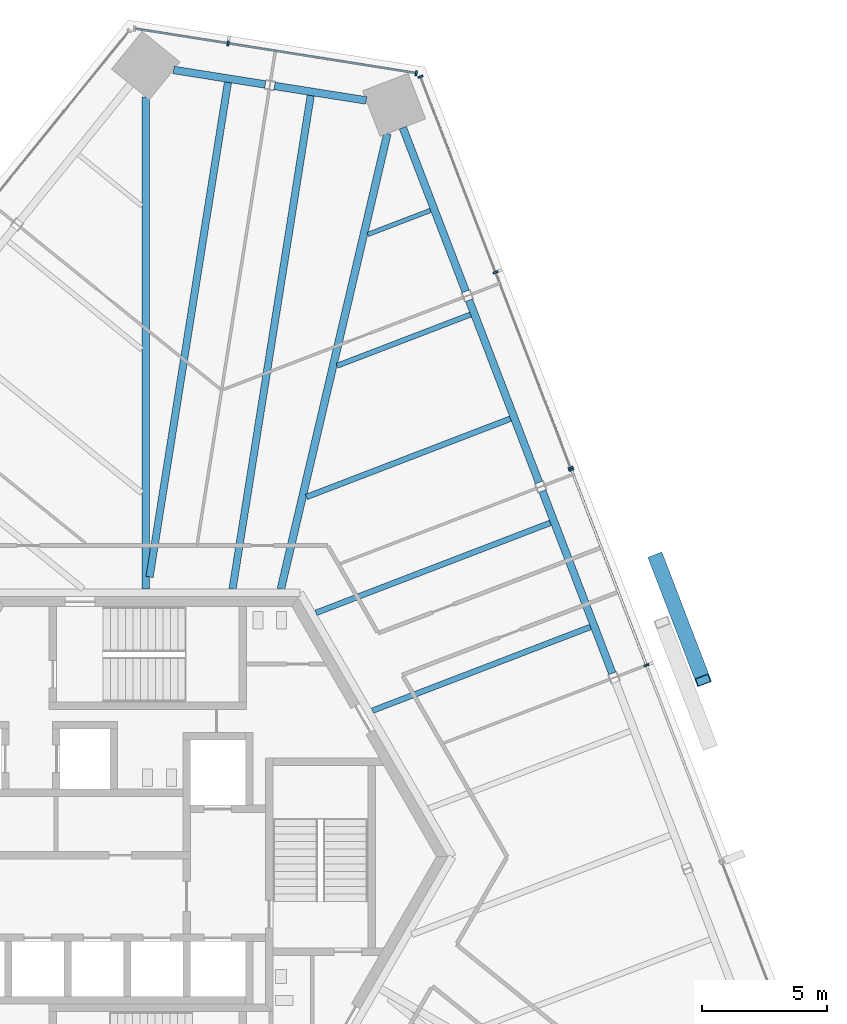
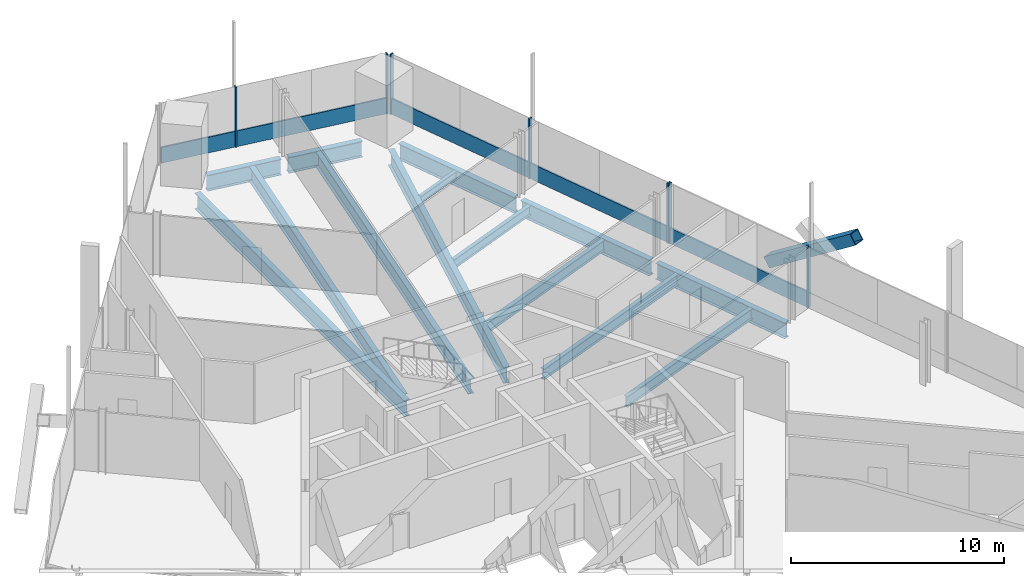
# One storey, part 9 of 22: 14 beams, 13 members, 3 elements without a shape of their own.
"""IFC4 building model written with IfcOpenShell, lengths in metres."""

from ifc_helpers import new_model, si_unit, direction, frame, origin, origin_2d, place, context, subcontext, project, spatial, rectangle, hollow_rectangle, i_section, extrude, source, transform, mapped, material, material_profile, profile_set, type_object, element, aggregate, save


model = new_model("IFC4")

# Units and contexts
model_context = context("Model", 3, precision=1e-05, world=origin(), true_north=direction((0.0, 1.0)))
body_context = subcontext(model_context, "Body", "Model", "MODEL_VIEW")
ifc_project = project(units=[si_unit("LENGTHUNIT", "METRE"), si_unit("AREAUNIT", "SQUARE_METRE"), si_unit("VOLUMEUNIT", "CUBIC_METRE"), si_unit("PLANEANGLEUNIT", "RADIAN"), si_unit("MASSUNIT", "GRAM", prefix="KILO")], contexts=[model_context])

# Site, building, storey
site_placement = place(None, origin())
site = spatial("IfcSite", under=ifc_project, at=site_placement, CompositionType="ELEMENT")
building_placement = place(site_placement, origin())
building = spatial("IfcBuilding", under=site, at=building_placement, Name="Triune Harvest Tower", CompositionType="ELEMENT")
storey_placement = place(building_placement, frame((0.0, 0.0, 153.300048828125)))
storey = spatial("IfcBuildingStorey", under=building, at=storey_placement, Name="L39", CompositionType="ELEMENT", Elevation=153.300048828125)

# Beams
ifc_material_1 = material(Name="Steel ASTM A992 Gr 50", Category="steel")
ifc_material_profile_1 = material_profile(ifc_material_1, i_section(OverallWidth=0.3046875, OverallDepth=0.914306640625, WebThickness=0.0166015625, FlangeThickness=0.02587890625, at=origin_2d()), Name="W36x160")
ifc_profile_set_1 = profile_set([ifc_material_profile_1], Name="Steel ASTM A992 Gr 50")
beam_type_1 = type_object("IfcBeamType", Name="SB-1 Spandrel beam W36x160", PredefinedType="SPANDREL", material=ifc_profile_set_1)
shared_shape_1 = source(origin(), body_context, "Body", "SweptSolid", [
    extrude(i_section(OverallWidth=0.3046875, OverallDepth=0.914306640625, WebThickness=0.0166015625, FlangeThickness=0.02587890625, at=origin_2d()), origin(), (0.0, 0.0, 1.0), 7.013427734375),
])
beam_1_placement = place(storey_placement, frame((12.709716796875, 22.592041015625, -0.6171875), z_axis=(-0.358372513984, 0.93357867436, 0.0), x_axis=(-0.93357867436, -0.358372513984, 0.0)))
element("IfcBeam", 1, at=beam_1_placement, inside=storey, type_object=beam_type_1, Name="beam/L39/SB6", PredefinedType="SPANDREL", context=body_context, shape_type="MappedRepresentation", body=[
    mapped(shared_shape_1, transform((0.0, 0.0, 0.0), scale=1.0)),
])
shared_shape_2 = source(origin(), body_context, "Body", "SweptSolid", [
    extrude(i_section(OverallWidth=0.3046875, OverallDepth=0.914306640625, WebThickness=0.0166015625, FlangeThickness=0.02587890625, at=origin_2d()), origin(), (0.0, 0.0, 1.0), 7.8017578125),
])
for number, where, z_axis, x_axis, name in (
    (2, (18.569091796875, 7.327880859375, -0.6171875), (-0.358372974677, 0.933578497514, 0.0), (-0.933578497514, -0.358372974677, 0.0), "beam/L39/SB4"),
    (3, (15.639404296875, 14.9599609375, -0.6171875), (-0.358372974677, 0.933578497514, 0.0), (-0.933578497514, -0.358372974677, 0.0), "beam/L39/SB5"),
):
    element("IfcBeam", number, at=place(storey_placement, frame(where, z_axis=z_axis, x_axis=x_axis)), inside=storey, type_object=beam_type_1, Name=name, PredefinedType="SPANDREL", context=body_context, shape_type="MappedRepresentation", body=[
        mapped(shared_shape_2, transform((0.0, 0.0, 0.0), scale=1.0)),
    ])
shared_shape_3 = source(origin(), body_context, "Body", "SweptSolid", [
    extrude(i_section(OverallWidth=0.3046875, OverallDepth=0.914306640625, WebThickness=0.0166015625, FlangeThickness=0.02587890625, at=origin_2d()), origin(), (0.0, 0.0, 1.0), 3.71240234375),
])
for number, where, z_axis, x_axis, name in (
    (4, (8.735107421875, 30.225830078125, -0.6171875), (-0.987686063537, 0.156448841145, 0.0), (-0.156448841145, -0.987686063537, 0.0), "beam/L39/SB7"),
    (5, (4.699462890625, 30.864990234375, -0.6171875), (-0.987686063537, 0.156448841145, 0.0), (-0.156448841145, -0.987686063537, 0.0), "beam/L39/SB8"),
):
    element("IfcBeam", number, at=place(storey_placement, frame(where, z_axis=z_axis, x_axis=x_axis)), inside=storey, type_object=beam_type_1, Name=name, PredefinedType="SPANDREL", context=body_context, shape_type="MappedRepresentation", body=[
        mapped(shared_shape_3, transform((0.0, 0.0, 0.0), scale=1.0)),
    ])
ifc_material_2 = material(Name="Steel ASTM A992 Gr 50", Category="steel")
ifc_material_profile_2 = material_profile(ifc_material_2, i_section(OverallWidth=0.307373046875, OverallDepth=0.922119140625, WebThickness=0.018310546875, FlangeThickness=0.030029296875, at=origin_2d()), Name="W36x182")
ifc_profile_set_2 = profile_set([ifc_material_profile_2], Name="Steel ASTM A992 Gr 50")
beam_type_2 = type_object("IfcBeamType", Name="HG-2 Hip girder W36x182", PredefinedType="BEAM", material=ifc_profile_set_2)
shared_shape_4 = source(origin(), body_context, "Body", "SweptSolid", [
    extrude(i_section(OverallWidth=0.307373046875, OverallDepth=0.922119140625, WebThickness=0.018310546875, FlangeThickness=0.030029296875, at=origin_2d()), origin(), (0.0, 0.0, 1.0), 18.6962890625),
])
beam_2_placement = place(storey_placement, frame((9.578857421875, 28.902587890625, -0.62109375), z_axis=(-0.227605246905, -0.973753486043, 0.0), x_axis=(0.973753486043, -0.227605246905, 0.0)))
element("IfcBeam", 6, at=beam_2_placement, inside=storey, type_object=beam_type_2, Name="beam/L39/HG3", PredefinedType="BEAM", context=body_context, shape_type="MappedRepresentation", body=[
    mapped(shared_shape_4, transform((0.0, 0.0, 0.0), scale=1.0)),
])
shared_shape_5 = source(origin(), body_context, "Body", "SweptSolid", [
    extrude(i_section(OverallWidth=0.307373046875, OverallDepth=0.922119140625, WebThickness=0.018310546875, FlangeThickness=0.030029296875, at=origin_2d()), origin(), (0.0, 0.0, 1.0), 19.670166015625),
])
beam_3_placement = place(storey_placement, frame((-0.0791015625, 30.3671875, -0.62109375), z_axis=(0.0, -1.0, 0.0), x_axis=(1.0, 0.0, 0.0)))
element("IfcBeam", 7, at=beam_3_placement, inside=storey, type_object=beam_type_2, Name="beam/L39/HG4", PredefinedType="BEAM", context=body_context, shape_type="MappedRepresentation", body=[
    mapped(shared_shape_5, transform((0.0, 0.0, 0.0), scale=1.0)),
])
ifc_material_3 = material(Name="Steel ASTM A992 Gr 50", Category="steel")
ifc_material_profile_3 = material_profile(ifc_material_3, i_section(OverallWidth=0.22900390625, OverallDepth=0.612060546875, WebThickness=0.011962890625, FlangeThickness=0.01953125, at=origin_2d()), Name="W24x84")
ifc_profile_set_3 = profile_set([ifc_material_profile_3], Name="Steel ASTM A992 Gr 50")
beam_type_3 = type_object("IfcBeamType", Name="JT-3 Floor joist W24x84", PredefinedType="JOIST", material=ifc_profile_set_3)
shared_shape_6 = source(origin(), body_context, "Body", "SweptSolid", [
    extrude(i_section(OverallWidth=0.22900390625, OverallDepth=0.612060546875, WebThickness=0.011962890625, FlangeThickness=0.01953125, at=origin_2d()), origin(), (0.0, 0.0, 1.0), 9.33203125),
])
beam_4_placement = place(storey_placement, frame((17.694580078125, 9.180419921875, -0.466064453125), z_axis=(-0.933582072806, -0.358363660734, 0.0), x_axis=(0.358363660734, -0.933582072806, 0.0)))
element("IfcBeam", 8, at=beam_4_placement, inside=storey, type_object=beam_type_3, Name="beam/L39/JT6", PredefinedType="JOIST", context=body_context, shape_type="MappedRepresentation", body=[
    mapped(shared_shape_6, transform((0.0, 0.0, 0.0), scale=1.0)),
])
shared_shape_7 = source(origin(), body_context, "Body", "SweptSolid", [
    extrude(i_section(OverallWidth=0.22900390625, OverallDepth=0.612060546875, WebThickness=0.011962890625, FlangeThickness=0.01953125, at=origin_2d()), origin(), (0.0, 0.0, 1.0), 10.038330078125),
])
beam_5_placement = place(storey_placement, frame((16.0966796875, 13.343505859375, -0.466064453125), z_axis=(-0.933580465952, -0.358367846762, 0.0), x_axis=(0.358367846762, -0.933580465952, 0.0)))
element("IfcBeam", 9, at=beam_5_placement, inside=storey, type_object=beam_type_3, Name="beam/L39/JT7", PredefinedType="JOIST", context=body_context, shape_type="MappedRepresentation", body=[
    mapped(shared_shape_7, transform((0.0, 0.0, 0.0), scale=1.0)),
])
shared_shape_8 = source(origin(), body_context, "Body", "SweptSolid", [
    extrude(i_section(OverallWidth=0.22900390625, OverallDepth=0.612060546875, WebThickness=0.011962890625, FlangeThickness=0.01953125, at=origin_2d()), origin(), (0.0, 0.0, 1.0), 8.738037109375),
])
beam_6_placement = place(storey_placement, frame((14.498779296875, 17.50634765625, -0.466064453125), z_axis=(-0.933584472757, -0.358357408499, 0.0), x_axis=(0.358357408499, -0.933584472757, 0.0)))
element("IfcBeam", 10, at=beam_6_placement, inside=storey, type_object=beam_type_3, Name="beam/L39/JT8", PredefinedType="JOIST", context=body_context, shape_type="MappedRepresentation", body=[
    mapped(shared_shape_8, transform((0.0, 0.0, 0.0), scale=1.0)),
])
ifc_material_4 = material(Name="Steel ASTM A992 Gr 50", Category="steel")
ifc_material_profile_4 = material_profile(ifc_material_4, i_section(OverallWidth=0.2099609375, OverallDepth=0.535888671875, WebThickness=0.010986328125, FlangeThickness=0.017333984375, at=origin_2d()), Name="W21x68")
ifc_profile_set_4 = profile_set([ifc_material_profile_4], Name="Steel ASTM A992 Gr 50")
beam_type_4 = type_object("IfcBeamType", Name="JT-2 Floor joist W21x68", PredefinedType="JOIST", material=ifc_profile_set_4)
shared_shape_9 = source(origin(), body_context, "Body", "SweptSolid", [
    extrude(i_section(OverallWidth=0.2099609375, OverallDepth=0.535888671875, WebThickness=0.010986328125, FlangeThickness=0.017333984375, at=origin_2d()), origin(), (0.0, 0.0, 1.0), 5.712890625),
])
beam_7_placement = place(storey_placement, frame((12.90087890625, 21.669189453125, -0.427978515625), z_axis=(-0.933593203906, -0.358334661483, 0.0), x_axis=(0.358334661483, -0.933593203906, 0.0)))
element("IfcBeam", 11, at=beam_7_placement, inside=storey, type_object=beam_type_4, Name="beam/L39/JT9", PredefinedType="JOIST", context=body_context, shape_type="MappedRepresentation", body=[
    mapped(shared_shape_9, transform((0.0, 0.0, 0.0), scale=1.0)),
])
ifc_material_5 = material(Name="Steel ASTM A992 Gr 50", Category="steel")
ifc_material_profile_5 = material_profile(ifc_material_5, i_section(OverallWidth=0.180908203125, OverallDepth=0.41650390625, WebThickness=0.010986328125, FlangeThickness=0.01806640625, at=origin_2d()), Name="W16x57")
ifc_profile_set_5 = profile_set([ifc_material_profile_5], Name="Steel ASTM A992 Gr 50")
beam_type_5 = type_object("IfcBeamType", Name="JT-1 Floor joist W16x57", PredefinedType="JOIST", material=ifc_profile_set_5)
shared_shape_10 = source(origin(), body_context, "Body", "SweptSolid", [
    extrude(i_section(OverallWidth=0.180908203125, OverallDepth=0.41650390625, WebThickness=0.010986328125, FlangeThickness=0.01806640625, at=origin_2d()), origin(), (0.0, 0.0, 1.0), 2.687255859375),
])
beam_8_placement = place(storey_placement, frame((11.302734375, 25.832275390625, -0.368408203125), z_axis=(-0.933567867424, -0.358400665336, 0.0), x_axis=(0.358400665336, -0.933567867424, 0.0)))
element("IfcBeam", 12, at=beam_8_placement, inside=storey, type_object=beam_type_5, Name="beam/L39/JT10", PredefinedType="JOIST", context=body_context, shape_type="MappedRepresentation", body=[
    mapped(shared_shape_10, transform((0.0, 0.0, 0.0), scale=1.0)),
])
ifc_material_6 = material(Name="Steel ASTM A992 Gr 50", Category="steel")
ifc_material_profile_6 = material_profile(ifc_material_6, i_section(OverallWidth=0.2919921875, OverallDepth=0.8583984375, WebThickness=0.01708984375, FlangeThickness=0.031005859375, at=origin_2d()), Name="W33x169")
ifc_profile_set_6 = profile_set([ifc_material_profile_6], Name="Steel ASTM A992 Gr 50")
beam_type_6 = type_object("IfcBeamType", Name="JT-7 Floor joist W33x169", PredefinedType="JOIST", material=ifc_profile_set_6)
shared_shape_11 = source(origin(), body_context, "Body", "SweptSolid", [
    extrude(i_section(OverallWidth=0.2919921875, OverallDepth=0.8583984375, WebThickness=0.01708984375, FlangeThickness=0.031005859375, at=origin_2d()), origin(), (0.0, 0.0, 1.0), 19.97216796875),
])
beam_9_placement = place(storey_placement, frame((6.514404296875, 30.42333984375, -0.58935546875), z_axis=(-0.15643083518, -0.987688915502, 0.0), x_axis=(0.987688915502, -0.15643083518, 0.0)))
element("IfcBeam", 13, at=beam_9_placement, inside=storey, type_object=beam_type_6, Name="beam/L39/JT11", PredefinedType="JOIST", context=body_context, shape_type="MappedRepresentation", body=[
    mapped(shared_shape_11, transform((0.0, 0.0, 0.0), scale=1.0)),
])
shared_shape_12 = source(origin(), body_context, "Body", "SweptSolid", [
    extrude(i_section(OverallWidth=0.2919921875, OverallDepth=0.8583984375, WebThickness=0.01708984375, FlangeThickness=0.031005859375, at=origin_2d()), origin(), (0.0, 0.0, 1.0), 20.016845703125),
])
beam_10_placement = place(storey_placement, frame((3.205810546875, 30.947509765625, -0.58935546875), z_axis=(-0.156434798458, -0.987688287787, 0.0), x_axis=(0.987688287787, -0.156434798458, 0.0)))
element("IfcBeam", 14, at=beam_10_placement, inside=storey, type_object=beam_type_6, Name="beam/L39/JT12", PredefinedType="JOIST", context=body_context, shape_type="MappedRepresentation", body=[
    mapped(shared_shape_12, transform((0.0, 0.0, 0.0), scale=1.0)),
])

# Member
ifc_material_7 = material(Name="Steel ASTM A572 Gr 50", Category="steel")
ifc_material_profile_7 = material_profile(ifc_material_7, hollow_rectangle(XDim=0.60009765625, YDim=0.60009765625, WallThickness=0.0400390625, at=origin_2d()), Name="Box 600x600x40")
ifc_profile_set_7 = profile_set([ifc_material_profile_7], Name="Steel ASTM A572 Gr 50")
member_type_1 = type_object("IfcMemberType", Name="BR-2 Brace Box 600x600x40", PredefinedType="BRACE", material=ifc_profile_set_7)
shared_shape_13 = source(origin(), body_context, "Body", "SweptSolid", [
    extrude(hollow_rectangle(XDim=0.60009765625, YDim=0.60009765625, WallThickness=0.0400390625, at=origin_2d()), origin(), (0.0, 0.0, 1.0), 6.328857421875),
])
member_1_placement = place(storey_placement, frame((20.332763671875, 11.910400390625, 0.0), z_axis=(0.294756015592, -0.767846942854, 0.568796944104), x_axis=(0.933577501812, 0.358375568518, 0.0)))
element("IfcMember", 15, at=member_1_placement, inside=storey, type_object=member_type_1, Name="brace/B4-F1/d2/5", PredefinedType="BRACE", context=body_context, shape_type="MappedRepresentation", body=[
    mapped(shared_shape_13, transform((0.0, 0.0, 0.0), scale=1.0)),
])

# Curtain wall, members
ifc_material_8 = material(Name="Aluminium bronze anodised", Category="aluminium")
curtain_wall_type_1 = type_object("IfcCurtainWallType", Name="CW-7 Tower stick curtain wall with insulated spandrel infill", PredefinedType="NOTDEFINED", material=ifc_material_8)
curtain_wall_1_placement = place(storey_placement, origin())
curtain_wall_1 = element("IfcCurtainWall", 16, at=curtain_wall_1_placement, inside=storey, type_object=curtain_wall_type_1, Name="CW-7 B4-F1 L39 run 1001")
ifc_material_9 = material(Name="Aluminium bronze anodised", Category="aluminium")
ifc_material_profile_8 = material_profile(ifc_material_9, rectangle(XDim=0.199951171875, YDim=0.074951171875, at=origin_2d()), Name="MU-1 mullion 75 x 200")
ifc_profile_set_8 = profile_set([ifc_material_profile_8], Name="Aluminium bronze anodised")
member_type_2 = type_object("IfcMemberType", Name="MU-1 mullion 75 x 200", PredefinedType="MULLION", material=ifc_profile_set_8)
shared_shape_14 = source(origin(), body_context, "Body", "SweptSolid", [
    extrude(rectangle(XDim=0.199951171875, YDim=0.074951171875, at=origin_2d()), origin(), (0.0, 0.0, 1.0), 3.43994140625),
])
member_2_placement = place(storey_placement, frame((19.9326171875, 7.6513671875, 0.0), z_axis=(0.0, 0.0, 1.0), x_axis=(-0.93358146847, -0.358365235101, 0.0)))
member_2 = element("IfcMember", 17, at=member_2_placement, type_object=member_type_2, Name="CW-7 mullion B4-F1 1001.3", PredefinedType="MULLION", context=body_context, shape_type="MappedRepresentation", body=[
    mapped(shared_shape_14, transform((0.0, 0.0, 0.0), scale=1.0)),
])
member_3_placement = place(storey_placement, frame((16.931396484375, 15.469970703125, 0.0), z_axis=(0.0, 0.0, 1.0), x_axis=(-0.93358146847, -0.358365235101, 0.0)))
member_3 = element("IfcMember", 18, at=member_3_placement, type_object=member_type_2, Name="CW-7 mullion B4-F1 1001.5", PredefinedType="MULLION", context=body_context, shape_type="MappedRepresentation", body=[
    mapped(shared_shape_14, transform((0.0, 0.0, 0.0), scale=1.0)),
])

ifc_material_10 = material(Name="Aluminium bronze anodised", Category="aluminium")
curtain_wall_type_2 = type_object("IfcCurtainWallType", Name="CW-1 Tower stick curtain wall", PredefinedType="NOTDEFINED", material=ifc_material_10)
curtain_wall_2_placement = place(storey_placement, origin())
curtain_wall_2 = element("IfcCurtainWall", 19, at=curtain_wall_2_placement, inside=storey, type_object=curtain_wall_type_2, Name="CW-1 B4-F1 L39 run 2001")
member_4_placement = place(storey_placement, frame((16.904541015625, 15.539794921875, 0.0), z_axis=(0.0, 0.0, 1.0), x_axis=(-0.933579143884, -0.35837129085, 0.0)))
member_4 = element("IfcMember", 20, at=member_4_placement, type_object=member_type_2, Name="CW-1 mullion B4-F1 2001.1", PredefinedType="MULLION", context=body_context, shape_type="MappedRepresentation", body=[
    mapped(shared_shape_14, transform((0.0, 0.0, 0.0), scale=1.0)),
])
member_5_placement = place(storey_placement, frame((13.903076171875, 23.3583984375, 0.0), z_axis=(0.0, 0.0, 1.0), x_axis=(-0.933579143884, -0.35837129085, 0.0)))
member_5 = element("IfcMember", 21, at=member_5_placement, type_object=member_type_2, Name="CW-1 mullion B4-F1 2001.3", PredefinedType="MULLION", context=body_context, shape_type="MappedRepresentation", body=[
    mapped(shared_shape_14, transform((0.0, 0.0, 0.0), scale=1.0)),
])
member_6_placement = place(storey_placement, frame((10.90185546875, 31.177001953125, 0.0), z_axis=(0.0, 0.0, 1.0), x_axis=(-0.933579143884, -0.35837129085, 0.0)))
member_6 = element("IfcMember", 22, at=member_6_placement, type_object=member_type_2, Name="CW-1 mullion B4-F1 2001.5", PredefinedType="MULLION", context=body_context, shape_type="MappedRepresentation", body=[
    mapped(shared_shape_14, transform((0.0, 0.0, 0.0), scale=1.0)),
])

curtain_wall_3_placement = place(storey_placement, origin())
curtain_wall_3 = element("IfcCurtainWall", 23, at=curtain_wall_3_placement, inside=storey, type_object=curtain_wall_type_2, Name="CW-1 B4-F2 L39 run 1")
member_7_placement = place(storey_placement, frame((10.730224609375, 31.31591796875, 0.0), z_axis=(0.0, 0.0, 1.0), x_axis=(-0.156432728322, -0.987688615663, 0.0)))
member_7 = element("IfcMember", 24, at=member_7_placement, type_object=member_type_2, Name="CW-1 mullion B4-F2 1.1", PredefinedType="MULLION", context=body_context, shape_type="MappedRepresentation", body=[
    mapped(shared_shape_14, transform((0.0, 0.0, 0.0), scale=1.0)),
])
member_8_placement = place(storey_placement, frame((3.21240234375, 32.506591796875, 0.0), z_axis=(0.0, 0.0, 1.0), x_axis=(-0.156432728322, -0.987688615663, 0.0)))
member_8 = element("IfcMember", 25, at=member_8_placement, type_object=member_type_2, Name="CW-1 mullion B4-F2 1.3", PredefinedType="MULLION", context=body_context, shape_type="MappedRepresentation", body=[
    mapped(shared_shape_14, transform((0.0, 0.0, 0.0), scale=1.0)),
])
ifc_material_11 = material(Name="Aluminium bronze anodised", Category="aluminium")
ifc_material_profile_9 = material_profile(ifc_material_11, rectangle(XDim=0.090087890625, YDim=0.89990234375, at=origin_2d()), Name="TR-1 transom 90 x 900")
ifc_profile_set_9 = profile_set([ifc_material_profile_9], Name="Aluminium bronze anodised")
member_type_3 = type_object("IfcMemberType", Name="TR-1 transom 90 x 900", PredefinedType="USERDEFINED", material=ifc_profile_set_9)
shared_shape_15 = source(origin(), body_context, "Body", "SweptSolid", [
    extrude(rectangle(XDim=0.090087890625, YDim=0.89990234375, at=origin_2d()), origin(), (0.0, 0.0, 1.0), 7.536376953125),
])
member_9_placement = place(storey_placement, frame((10.693115234375, 31.32177734375, 0.449951171875), z_axis=(-0.987688256511, 0.156434995923, 0.0), x_axis=(-0.156434995923, -0.987688256511, 0.0)))
member_9 = element("IfcMember", 26, at=member_9_placement, type_object=member_type_3, Name="CW-1 transom B4-F2 1.1", ObjectType="TRANSOM", PredefinedType="USERDEFINED", context=body_context, shape_type="MappedRepresentation", body=[
    mapped(shared_shape_15, transform((0.0, 0.0, 0.0), scale=1.0)),
])
shared_shape_16 = source(origin(), body_context, "Body", "SweptSolid", [
    extrude(rectangle(XDim=0.090087890625, YDim=0.89990234375, at=origin_2d()), origin(), (0.0, 0.0, 1.0), 3.7119140625),
])
member_10_placement = place(storey_placement, frame((3.17529296875, 32.512451171875, 0.449951171875), z_axis=(-0.987682843675, 0.156469167284, 0.0), x_axis=(-0.156469167284, -0.987682843675, 0.0)))
member_10 = element("IfcMember", 27, at=member_10_placement, type_object=member_type_3, Name="CW-1 transom B4-F2 1.2", ObjectType="TRANSOM", PredefinedType="USERDEFINED", context=body_context, shape_type="MappedRepresentation", body=[
    mapped(shared_shape_16, transform((0.0, 0.0, 0.0), scale=1.0)),
])
aggregate(curtain_wall_3, [member_7, member_8, member_9, member_10])

# Member
shared_shape_17 = source(origin(), body_context, "Body", "SweptSolid", [
    extrude(rectangle(XDim=0.090087890625, YDim=0.89990234375, at=origin_2d()), origin(), (0.0, 0.0, 1.0), 8.299560546875),
])
member_11_placement = place(storey_placement, frame((19.919189453125, 7.6865234375, 0.449951171875), z_axis=(-0.358375823546, 0.933577403913, 0.0), x_axis=(-0.933577403913, -0.358375823546, 0.0)))
member_11 = element("IfcMember", 28, at=member_11_placement, type_object=member_type_3, Name="CW-7 transom B4-F1 1001.2", ObjectType="TRANSOM", PredefinedType="USERDEFINED", context=body_context, shape_type="MappedRepresentation", body=[
    mapped(shared_shape_17, transform((0.0, 0.0, 0.0), scale=1.0)),
])

aggregate(curtain_wall_1, [member_2, member_3, member_11])

member_12_placement = place(storey_placement, frame((13.8896484375, 23.3935546875, 0.449951171875), z_axis=(-0.358375823546, 0.933577403913, 0.0), x_axis=(-0.933577403913, -0.358375823546, 0.0)))
member_12 = element("IfcMember", 29, at=member_12_placement, type_object=member_type_3, Name="CW-1 transom B4-F1 2001.2", ObjectType="TRANSOM", PredefinedType="USERDEFINED", context=body_context, shape_type="MappedRepresentation", body=[
    mapped(shared_shape_17, transform((0.0, 0.0, 0.0), scale=1.0)),
])

shared_shape_18 = source(origin(), body_context, "Body", "SweptSolid", [
    extrude(rectangle(XDim=0.090087890625, YDim=0.89990234375, at=origin_2d()), origin(), (0.0, 0.0, 1.0), 8.2998046875),
])
member_13_placement = place(storey_placement, frame((16.89111328125, 15.574951171875, 0.449951171875), z_axis=(-0.358391619176, 0.933571340233, 0.0), x_axis=(-0.933571340233, -0.358391619176, 0.0)))
member_13 = element("IfcMember", 30, at=member_13_placement, type_object=member_type_3, Name="CW-1 transom B4-F1 2001.1", ObjectType="TRANSOM", PredefinedType="USERDEFINED", context=body_context, shape_type="MappedRepresentation", body=[
    mapped(shared_shape_18, transform((0.0, 0.0, 0.0), scale=1.0)),
])

aggregate(curtain_wall_2, [member_4, member_5, member_6, member_13, member_12])

save(model, "model.ifc")
